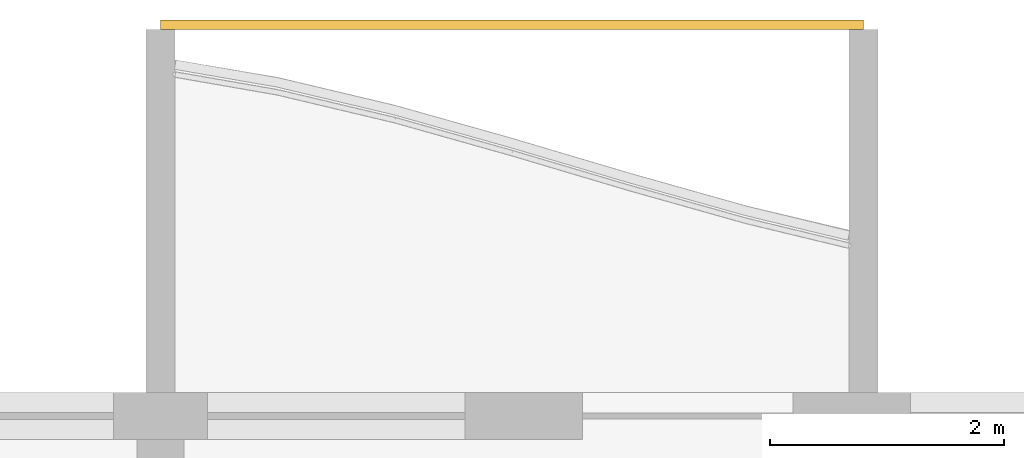
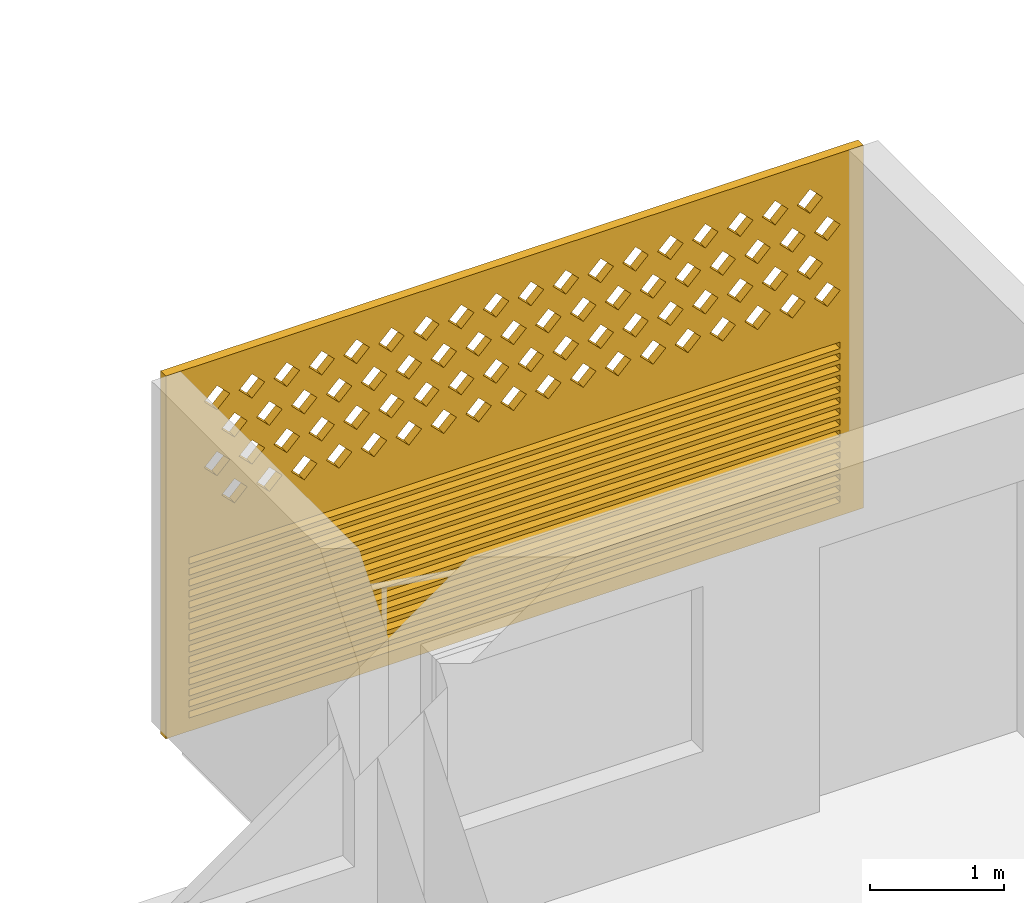
# One storey, part 27 of 38: 1 covering.
"""IFC4 building model written with IfcOpenShell, lengths in metres."""

from ifc_helpers import new_model, si_unit, direction, frame, origin, place, context, subcontext, project, spatial, polyline, outline, extrude, source, transform, mapped, material, material_profile, profile_set, type_object, element, save


model = new_model("IFC4")

# Units and contexts
model_context = context("Model", 3, precision=1e-05, world=origin(), true_north=direction((0.0, 1.0)))
body_context = subcontext(model_context, "Body", "Model", "MODEL_VIEW")
ifc_project = project(units=[si_unit("LENGTHUNIT", "METRE"), si_unit("AREAUNIT", "SQUARE_METRE"), si_unit("VOLUMEUNIT", "CUBIC_METRE"), si_unit("PLANEANGLEUNIT", "RADIAN"), si_unit("MASSUNIT", "GRAM", prefix="KILO")], contexts=[model_context])

# Site, building, storey
site_placement = place(None, origin())
site = spatial("IfcSite", under=ifc_project, at=site_placement, CompositionType="ELEMENT")
building_placement = place(site_placement, origin())
building = spatial("IfcBuilding", under=site, at=building_placement, Name="Poui Terraces", CompositionType="ELEMENT")
storey_placement = place(building_placement, frame((0.0, 0.0, 43.199951171875)))
storey = spatial("IfcBuildingStorey", under=building, at=storey_placement, Name="L11", CompositionType="ELEMENT", Elevation=43.199951171875)

# Covering
ifc_material = material(Name="Terracotta screen", Category="masonry")
ifc_material_profile = material_profile(ifc_material, outline(polyline([(-3.0, -1.64990234375), (3.0, -1.64990234375), (3.0, 1.64990234375), (-3.0, 1.64990234375), (-3.0, -1.64990234375)]), holes=[polyline([(-2.800048828125, 0.39990234375), (-2.68994140625, 0.2900390625), (-2.580078125, 0.39990234375), (-2.68994140625, 0.510009765625), (-2.800048828125, 0.39990234375)]), polyline([(-2.5, 0.39990234375), (-2.389892578125, 0.2900390625), (-2.280029296875, 0.39990234375), (-2.389892578125, 0.510009765625), (-2.5, 0.39990234375)]), polyline([(-2.199951171875, 0.39990234375), (-2.090087890625, 0.2900390625), (-1.97998046875, 0.39990234375), (-2.090087890625, 0.510009765625), (-2.199951171875, 0.39990234375)]), polyline([(-1.89990234375, 0.39990234375), (-1.7900390625, 0.2900390625), (-1.679931640625, 0.39990234375), (-1.7900390625, 0.510009765625), (-1.89990234375, 0.39990234375)]), polyline([(-1.60009765625, 0.39990234375), (-1.489990234375, 0.2900390625), (-1.3798828125, 0.39990234375), (-1.489990234375, 0.510009765625), (-1.60009765625, 0.39990234375)]), polyline([(-1.300048828125, 0.39990234375), (-1.18994140625, 0.2900390625), (-1.080078125, 0.39990234375), (-1.18994140625, 0.510009765625), (-1.300048828125, 0.39990234375)]), polyline([(-1.0, 0.39990234375), (-0.889892578125, 0.2900390625), (-0.780029296875, 0.39990234375), (-0.889892578125, 0.510009765625), (-1.0, 0.39990234375)]), polyline([(-0.699951171875, 0.39990234375), (-0.590087890625, 0.2900390625), (-0.47998046875, 0.39990234375), (-0.590087890625, 0.510009765625), (-0.699951171875, 0.39990234375)]), polyline([(-0.39990234375, 0.39990234375), (-0.2900390625, 0.2900390625), (-0.179931640625, 0.39990234375), (-0.2900390625, 0.510009765625), (-0.39990234375, 0.39990234375)]), polyline([(-0.10009765625, 0.39990234375), (0.010009765625, 0.2900390625), (0.1201171875, 0.39990234375), (0.010009765625, 0.510009765625), (-0.10009765625, 0.39990234375)]), polyline([(0.199951171875, 0.39990234375), (0.31005859375, 0.2900390625), (0.419921875, 0.39990234375), (0.31005859375, 0.510009765625), (0.199951171875, 0.39990234375)]), polyline([(0.5, 0.39990234375), (0.610107421875, 0.2900390625), (0.719970703125, 0.39990234375), (0.610107421875, 0.510009765625), (0.5, 0.39990234375)]), polyline([(0.800048828125, 0.39990234375), (0.909912109375, 0.2900390625), (1.02001953125, 0.39990234375), (0.909912109375, 0.510009765625), (0.800048828125, 0.39990234375)]), polyline([(1.10009765625, 0.39990234375), (1.2099609375, 0.2900390625), (1.320068359375, 0.39990234375), (1.2099609375, 0.510009765625), (1.10009765625, 0.39990234375)]), polyline([(1.39990234375, 0.39990234375), (1.510009765625, 0.2900390625), (1.6201171875, 0.39990234375), (1.510009765625, 0.510009765625), (1.39990234375, 0.39990234375)]), polyline([(1.699951171875, 0.39990234375), (1.81005859375, 0.2900390625), (1.919921875, 0.39990234375), (1.81005859375, 0.510009765625), (1.699951171875, 0.39990234375)]), polyline([(2.0, 0.39990234375), (2.110107421875, 0.2900390625), (2.219970703125, 0.39990234375), (2.110107421875, 0.510009765625), (2.0, 0.39990234375)]), polyline([(2.300048828125, 0.39990234375), (2.409912109375, 0.2900390625), (2.52001953125, 0.39990234375), (2.409912109375, 0.510009765625), (2.300048828125, 0.39990234375)]), polyline([(-2.64990234375, 0.699951171875), (-2.5400390625, 0.590087890625), (-2.429931640625, 0.699951171875), (-2.5400390625, 0.81005859375), (-2.64990234375, 0.699951171875)]), polyline([(-2.35009765625, 0.699951171875), (-2.239990234375, 0.590087890625), (-2.1298828125, 0.699951171875), (-2.239990234375, 0.81005859375), (-2.35009765625, 0.699951171875)]), polyline([(-2.050048828125, 0.699951171875), (-1.93994140625, 0.590087890625), (-1.830078125, 0.699951171875), (-1.93994140625, 0.81005859375), (-2.050048828125, 0.699951171875)]), polyline([(-1.75, 0.699951171875), (-1.639892578125, 0.590087890625), (-1.530029296875, 0.699951171875), (-1.639892578125, 0.81005859375), (-1.75, 0.699951171875)]), polyline([(-1.449951171875, 0.699951171875), (-1.340087890625, 0.590087890625), (-1.22998046875, 0.699951171875), (-1.340087890625, 0.81005859375), (-1.449951171875, 0.699951171875)]), polyline([(-1.14990234375, 0.699951171875), (-1.0400390625, 0.590087890625), (-0.929931640625, 0.699951171875), (-1.0400390625, 0.81005859375), (-1.14990234375, 0.699951171875)]), polyline([(-0.85009765625, 0.699951171875), (-0.739990234375, 0.590087890625), (-0.6298828125, 0.699951171875), (-0.739990234375, 0.81005859375), (-0.85009765625, 0.699951171875)]), polyline([(-0.550048828125, 0.699951171875), (-0.43994140625, 0.590087890625), (-0.330078125, 0.699951171875), (-0.43994140625, 0.81005859375), (-0.550048828125, 0.699951171875)]), polyline([(-0.25, 0.699951171875), (-0.139892578125, 0.590087890625), (-0.030029296875, 0.699951171875), (-0.139892578125, 0.81005859375), (-0.25, 0.699951171875)]), polyline([(0.050048828125, 0.699951171875), (0.159912109375, 0.590087890625), (0.27001953125, 0.699951171875), (0.159912109375, 0.81005859375), (0.050048828125, 0.699951171875)]), polyline([(0.35009765625, 0.699951171875), (0.4599609375, 0.590087890625), (0.570068359375, 0.699951171875), (0.4599609375, 0.81005859375), (0.35009765625, 0.699951171875)]), polyline([(0.64990234375, 0.699951171875), (0.760009765625, 0.590087890625), (0.8701171875, 0.699951171875), (0.760009765625, 0.81005859375), (0.64990234375, 0.699951171875)]), polyline([(0.949951171875, 0.699951171875), (1.06005859375, 0.590087890625), (1.169921875, 0.699951171875), (1.06005859375, 0.81005859375), (0.949951171875, 0.699951171875)]), polyline([(1.25, 0.699951171875), (1.360107421875, 0.590087890625), (1.469970703125, 0.699951171875), (1.360107421875, 0.81005859375), (1.25, 0.699951171875)]), polyline([(1.550048828125, 0.699951171875), (1.659912109375, 0.590087890625), (1.77001953125, 0.699951171875), (1.659912109375, 0.81005859375), (1.550048828125, 0.699951171875)]), polyline([(1.85009765625, 0.699951171875), (1.9599609375, 0.590087890625), (2.070068359375, 0.699951171875), (1.9599609375, 0.81005859375), (1.85009765625, 0.699951171875)]), polyline([(2.14990234375, 0.699951171875), (2.260009765625, 0.590087890625), (2.3701171875, 0.699951171875), (2.260009765625, 0.81005859375), (2.14990234375, 0.699951171875)]), polyline([(2.449951171875, 0.699951171875), (2.56005859375, 0.590087890625), (2.669921875, 0.699951171875), (2.56005859375, 0.81005859375), (2.449951171875, 0.699951171875)]), polyline([(-2.800048828125, 1.0), (-2.68994140625, 0.889892578125), (-2.580078125, 1.0), (-2.68994140625, 1.110107421875), (-2.800048828125, 1.0)]), polyline([(-2.5, 1.0), (-2.389892578125, 0.889892578125), (-2.280029296875, 1.0), (-2.389892578125, 1.110107421875), (-2.5, 1.0)]), polyline([(-2.199951171875, 1.0), (-2.090087890625, 0.889892578125), (-1.97998046875, 1.0), (-2.090087890625, 1.110107421875), (-2.199951171875, 1.0)]), polyline([(-1.89990234375, 1.0), (-1.7900390625, 0.889892578125), (-1.679931640625, 1.0), (-1.7900390625, 1.110107421875), (-1.89990234375, 1.0)]), polyline([(-1.60009765625, 1.0), (-1.489990234375, 0.889892578125), (-1.3798828125, 1.0), (-1.489990234375, 1.110107421875), (-1.60009765625, 1.0)]), polyline([(-1.300048828125, 1.0), (-1.18994140625, 0.889892578125), (-1.080078125, 1.0), (-1.18994140625, 1.110107421875), (-1.300048828125, 1.0)]), polyline([(-1.0, 1.0), (-0.889892578125, 0.889892578125), (-0.780029296875, 1.0), (-0.889892578125, 1.110107421875), (-1.0, 1.0)]), polyline([(-0.699951171875, 1.0), (-0.590087890625, 0.889892578125), (-0.47998046875, 1.0), (-0.590087890625, 1.110107421875), (-0.699951171875, 1.0)]), polyline([(-0.39990234375, 1.0), (-0.2900390625, 0.889892578125), (-0.179931640625, 1.0), (-0.2900390625, 1.110107421875), (-0.39990234375, 1.0)]), polyline([(-0.10009765625, 1.0), (0.010009765625, 0.889892578125), (0.1201171875, 1.0), (0.010009765625, 1.110107421875), (-0.10009765625, 1.0)]), polyline([(0.199951171875, 1.0), (0.31005859375, 0.889892578125), (0.419921875, 1.0), (0.31005859375, 1.110107421875), (0.199951171875, 1.0)]), polyline([(0.5, 1.0), (0.610107421875, 0.889892578125), (0.719970703125, 1.0), (0.610107421875, 1.110107421875), (0.5, 1.0)]), polyline([(0.800048828125, 1.0), (0.909912109375, 0.889892578125), (1.02001953125, 1.0), (0.909912109375, 1.110107421875), (0.800048828125, 1.0)]), polyline([(1.10009765625, 1.0), (1.2099609375, 0.889892578125), (1.320068359375, 1.0), (1.2099609375, 1.110107421875), (1.10009765625, 1.0)]), polyline([(1.39990234375, 1.0), (1.510009765625, 0.889892578125), (1.6201171875, 1.0), (1.510009765625, 1.110107421875), (1.39990234375, 1.0)]), polyline([(1.699951171875, 1.0), (1.81005859375, 0.889892578125), (1.919921875, 1.0), (1.81005859375, 1.110107421875), (1.699951171875, 1.0)]), polyline([(2.0, 1.0), (2.110107421875, 0.889892578125), (2.219970703125, 1.0), (2.110107421875, 1.110107421875), (2.0, 1.0)]), polyline([(2.300048828125, 1.0), (2.409912109375, 0.889892578125), (2.52001953125, 1.0), (2.409912109375, 1.110107421875), (2.300048828125, 1.0)]), polyline([(-2.64990234375, 1.300048828125), (-2.5400390625, 1.18994140625), (-2.429931640625, 1.300048828125), (-2.5400390625, 1.409912109375), (-2.64990234375, 1.300048828125)]), polyline([(-2.35009765625, 1.300048828125), (-2.239990234375, 1.18994140625), (-2.1298828125, 1.300048828125), (-2.239990234375, 1.409912109375), (-2.35009765625, 1.300048828125)]), polyline([(-2.050048828125, 1.300048828125), (-1.93994140625, 1.18994140625), (-1.830078125, 1.300048828125), (-1.93994140625, 1.409912109375), (-2.050048828125, 1.300048828125)]), polyline([(-1.75, 1.300048828125), (-1.639892578125, 1.18994140625), (-1.530029296875, 1.300048828125), (-1.639892578125, 1.409912109375), (-1.75, 1.300048828125)]), polyline([(-1.449951171875, 1.300048828125), (-1.340087890625, 1.18994140625), (-1.22998046875, 1.300048828125), (-1.340087890625, 1.409912109375), (-1.449951171875, 1.300048828125)]), polyline([(-1.14990234375, 1.300048828125), (-1.0400390625, 1.18994140625), (-0.929931640625, 1.300048828125), (-1.0400390625, 1.409912109375), (-1.14990234375, 1.300048828125)]), polyline([(-0.85009765625, 1.300048828125), (-0.739990234375, 1.18994140625), (-0.6298828125, 1.300048828125), (-0.739990234375, 1.409912109375), (-0.85009765625, 1.300048828125)]), polyline([(-0.550048828125, 1.300048828125), (-0.43994140625, 1.18994140625), (-0.330078125, 1.300048828125), (-0.43994140625, 1.409912109375), (-0.550048828125, 1.300048828125)]), polyline([(-0.25, 1.300048828125), (-0.139892578125, 1.18994140625), (-0.030029296875, 1.300048828125), (-0.139892578125, 1.409912109375), (-0.25, 1.300048828125)]), polyline([(0.050048828125, 1.300048828125), (0.159912109375, 1.18994140625), (0.27001953125, 1.300048828125), (0.159912109375, 1.409912109375), (0.050048828125, 1.300048828125)]), polyline([(0.35009765625, 1.300048828125), (0.4599609375, 1.18994140625), (0.570068359375, 1.300048828125), (0.4599609375, 1.409912109375), (0.35009765625, 1.300048828125)]), polyline([(0.64990234375, 1.300048828125), (0.760009765625, 1.18994140625), (0.8701171875, 1.300048828125), (0.760009765625, 1.409912109375), (0.64990234375, 1.300048828125)]), polyline([(0.949951171875, 1.300048828125), (1.06005859375, 1.18994140625), (1.169921875, 1.300048828125), (1.06005859375, 1.409912109375), (0.949951171875, 1.300048828125)]), polyline([(1.25, 1.300048828125), (1.360107421875, 1.18994140625), (1.469970703125, 1.300048828125), (1.360107421875, 1.409912109375), (1.25, 1.300048828125)]), polyline([(1.550048828125, 1.300048828125), (1.659912109375, 1.18994140625), (1.77001953125, 1.300048828125), (1.659912109375, 1.409912109375), (1.550048828125, 1.300048828125)]), polyline([(1.85009765625, 1.300048828125), (1.9599609375, 1.18994140625), (2.070068359375, 1.300048828125), (1.9599609375, 1.409912109375), (1.85009765625, 1.300048828125)]), polyline([(2.14990234375, 1.300048828125), (2.260009765625, 1.18994140625), (2.3701171875, 1.300048828125), (2.260009765625, 1.409912109375), (2.14990234375, 1.300048828125)]), polyline([(2.449951171875, 1.300048828125), (2.56005859375, 1.18994140625), (2.669921875, 1.300048828125), (2.56005859375, 1.409912109375), (2.449951171875, 1.300048828125)]), polyline([(-2.800048828125, -1.530029296875), (2.800048828125, -1.530029296875), (2.800048828125, -1.469970703125), (-2.800048828125, -1.469970703125), (-2.800048828125, -1.530029296875)]), polyline([(-2.800048828125, -1.429931640625), (2.800048828125, -1.429931640625), (2.800048828125, -1.3701171875), (-2.800048828125, -1.3701171875), (-2.800048828125, -1.429931640625)]), polyline([(-2.800048828125, -1.330078125), (2.800048828125, -1.330078125), (2.800048828125, -1.27001953125), (-2.800048828125, -1.27001953125), (-2.800048828125, -1.330078125)]), polyline([(-2.800048828125, -1.22998046875), (2.800048828125, -1.22998046875), (2.800048828125, -1.169921875), (-2.800048828125, -1.169921875), (-2.800048828125, -1.22998046875)]), polyline([(-2.800048828125, -1.1298828125), (2.800048828125, -1.1298828125), (2.800048828125, -1.070068359375), (-2.800048828125, -1.070068359375), (-2.800048828125, -1.1298828125)]), polyline([(-2.800048828125, -1.030029296875), (2.800048828125, -1.030029296875), (2.800048828125, -0.969970703125), (-2.800048828125, -0.969970703125), (-2.800048828125, -1.030029296875)]), polyline([(-2.800048828125, -0.929931640625), (2.800048828125, -0.929931640625), (2.800048828125, -0.8701171875), (-2.800048828125, -0.8701171875), (-2.800048828125, -0.929931640625)]), polyline([(-2.800048828125, -0.830078125), (2.800048828125, -0.830078125), (2.800048828125, -0.77001953125), (-2.800048828125, -0.77001953125), (-2.800048828125, -0.830078125)]), polyline([(-2.800048828125, -0.72998046875), (2.800048828125, -0.72998046875), (2.800048828125, -0.669921875), (-2.800048828125, -0.669921875), (-2.800048828125, -0.72998046875)]), polyline([(-2.800048828125, -0.6298828125), (2.800048828125, -0.6298828125), (2.800048828125, -0.570068359375), (-2.800048828125, -0.570068359375), (-2.800048828125, -0.6298828125)]), polyline([(-2.800048828125, -0.530029296875), (2.800048828125, -0.530029296875), (2.800048828125, -0.469970703125), (-2.800048828125, -0.469970703125), (-2.800048828125, -0.530029296875)]), polyline([(-2.800048828125, -0.429931640625), (2.800048828125, -0.429931640625), (2.800048828125, -0.3701171875), (-2.800048828125, -0.3701171875), (-2.800048828125, -0.429931640625)]), polyline([(-2.800048828125, -0.330078125), (2.800048828125, -0.330078125), (2.800048828125, -0.27001953125), (-2.800048828125, -0.27001953125), (-2.800048828125, -0.330078125)]), polyline([(-2.800048828125, -0.22998046875), (2.800048828125, -0.22998046875), (2.800048828125, -0.169921875), (-2.800048828125, -0.169921875), (-2.800048828125, -0.22998046875)]), polyline([(-2.800048828125, -0.1298828125), (2.800048828125, -0.1298828125), (2.800048828125, -0.070068359375), (-2.800048828125, -0.070068359375), (-2.800048828125, -0.1298828125)])]), Name="TERRACOTTA SCREEN AND JALOUSIE LOUVRE 6000X3300")
ifc_profile_set = profile_set([ifc_material_profile], Name="Terracotta screen")
covering_type = type_object("IfcCoveringType", Name="TERRACOTTA SCREEN AND JALOUSIE LOUVRE 6000X3300", PredefinedType="CLADDING", material=ifc_profile_set)
shared_shape = source(origin(), body_context, "Body", "SweptSolid", [
    extrude(outline(polyline([(-3.0, -1.64990234375), (3.0, -1.64990234375), (3.0, 1.64990234375), (-3.0, 1.64990234375), (-3.0, -1.64990234375)]), holes=[polyline([(-2.800048828125, 0.39990234375), (-2.68994140625, 0.2900390625), (-2.580078125, 0.39990234375), (-2.68994140625, 0.510009765625), (-2.800048828125, 0.39990234375)]), polyline([(-2.5, 0.39990234375), (-2.389892578125, 0.2900390625), (-2.280029296875, 0.39990234375), (-2.389892578125, 0.510009765625), (-2.5, 0.39990234375)]), polyline([(-2.199951171875, 0.39990234375), (-2.090087890625, 0.2900390625), (-1.97998046875, 0.39990234375), (-2.090087890625, 0.510009765625), (-2.199951171875, 0.39990234375)]), polyline([(-1.89990234375, 0.39990234375), (-1.7900390625, 0.2900390625), (-1.679931640625, 0.39990234375), (-1.7900390625, 0.510009765625), (-1.89990234375, 0.39990234375)]), polyline([(-1.60009765625, 0.39990234375), (-1.489990234375, 0.2900390625), (-1.3798828125, 0.39990234375), (-1.489990234375, 0.510009765625), (-1.60009765625, 0.39990234375)]), polyline([(-1.300048828125, 0.39990234375), (-1.18994140625, 0.2900390625), (-1.080078125, 0.39990234375), (-1.18994140625, 0.510009765625), (-1.300048828125, 0.39990234375)]), polyline([(-1.0, 0.39990234375), (-0.889892578125, 0.2900390625), (-0.780029296875, 0.39990234375), (-0.889892578125, 0.510009765625), (-1.0, 0.39990234375)]), polyline([(-0.699951171875, 0.39990234375), (-0.590087890625, 0.2900390625), (-0.47998046875, 0.39990234375), (-0.590087890625, 0.510009765625), (-0.699951171875, 0.39990234375)]), polyline([(-0.39990234375, 0.39990234375), (-0.2900390625, 0.2900390625), (-0.179931640625, 0.39990234375), (-0.2900390625, 0.510009765625), (-0.39990234375, 0.39990234375)]), polyline([(-0.10009765625, 0.39990234375), (0.010009765625, 0.2900390625), (0.1201171875, 0.39990234375), (0.010009765625, 0.510009765625), (-0.10009765625, 0.39990234375)]), polyline([(0.199951171875, 0.39990234375), (0.31005859375, 0.2900390625), (0.419921875, 0.39990234375), (0.31005859375, 0.510009765625), (0.199951171875, 0.39990234375)]), polyline([(0.5, 0.39990234375), (0.610107421875, 0.2900390625), (0.719970703125, 0.39990234375), (0.610107421875, 0.510009765625), (0.5, 0.39990234375)]), polyline([(0.800048828125, 0.39990234375), (0.909912109375, 0.2900390625), (1.02001953125, 0.39990234375), (0.909912109375, 0.510009765625), (0.800048828125, 0.39990234375)]), polyline([(1.10009765625, 0.39990234375), (1.2099609375, 0.2900390625), (1.320068359375, 0.39990234375), (1.2099609375, 0.510009765625), (1.10009765625, 0.39990234375)]), polyline([(1.39990234375, 0.39990234375), (1.510009765625, 0.2900390625), (1.6201171875, 0.39990234375), (1.510009765625, 0.510009765625), (1.39990234375, 0.39990234375)]), polyline([(1.699951171875, 0.39990234375), (1.81005859375, 0.2900390625), (1.919921875, 0.39990234375), (1.81005859375, 0.510009765625), (1.699951171875, 0.39990234375)]), polyline([(2.0, 0.39990234375), (2.110107421875, 0.2900390625), (2.219970703125, 0.39990234375), (2.110107421875, 0.510009765625), (2.0, 0.39990234375)]), polyline([(2.300048828125, 0.39990234375), (2.409912109375, 0.2900390625), (2.52001953125, 0.39990234375), (2.409912109375, 0.510009765625), (2.300048828125, 0.39990234375)]), polyline([(-2.64990234375, 0.699951171875), (-2.5400390625, 0.590087890625), (-2.429931640625, 0.699951171875), (-2.5400390625, 0.81005859375), (-2.64990234375, 0.699951171875)]), polyline([(-2.35009765625, 0.699951171875), (-2.239990234375, 0.590087890625), (-2.1298828125, 0.699951171875), (-2.239990234375, 0.81005859375), (-2.35009765625, 0.699951171875)]), polyline([(-2.050048828125, 0.699951171875), (-1.93994140625, 0.590087890625), (-1.830078125, 0.699951171875), (-1.93994140625, 0.81005859375), (-2.050048828125, 0.699951171875)]), polyline([(-1.75, 0.699951171875), (-1.639892578125, 0.590087890625), (-1.530029296875, 0.699951171875), (-1.639892578125, 0.81005859375), (-1.75, 0.699951171875)]), polyline([(-1.449951171875, 0.699951171875), (-1.340087890625, 0.590087890625), (-1.22998046875, 0.699951171875), (-1.340087890625, 0.81005859375), (-1.449951171875, 0.699951171875)]), polyline([(-1.14990234375, 0.699951171875), (-1.0400390625, 0.590087890625), (-0.929931640625, 0.699951171875), (-1.0400390625, 0.81005859375), (-1.14990234375, 0.699951171875)]), polyline([(-0.85009765625, 0.699951171875), (-0.739990234375, 0.590087890625), (-0.6298828125, 0.699951171875), (-0.739990234375, 0.81005859375), (-0.85009765625, 0.699951171875)]), polyline([(-0.550048828125, 0.699951171875), (-0.43994140625, 0.590087890625), (-0.330078125, 0.699951171875), (-0.43994140625, 0.81005859375), (-0.550048828125, 0.699951171875)]), polyline([(-0.25, 0.699951171875), (-0.139892578125, 0.590087890625), (-0.030029296875, 0.699951171875), (-0.139892578125, 0.81005859375), (-0.25, 0.699951171875)]), polyline([(0.050048828125, 0.699951171875), (0.159912109375, 0.590087890625), (0.27001953125, 0.699951171875), (0.159912109375, 0.81005859375), (0.050048828125, 0.699951171875)]), polyline([(0.35009765625, 0.699951171875), (0.4599609375, 0.590087890625), (0.570068359375, 0.699951171875), (0.4599609375, 0.81005859375), (0.35009765625, 0.699951171875)]), polyline([(0.64990234375, 0.699951171875), (0.760009765625, 0.590087890625), (0.8701171875, 0.699951171875), (0.760009765625, 0.81005859375), (0.64990234375, 0.699951171875)]), polyline([(0.949951171875, 0.699951171875), (1.06005859375, 0.590087890625), (1.169921875, 0.699951171875), (1.06005859375, 0.81005859375), (0.949951171875, 0.699951171875)]), polyline([(1.25, 0.699951171875), (1.360107421875, 0.590087890625), (1.469970703125, 0.699951171875), (1.360107421875, 0.81005859375), (1.25, 0.699951171875)]), polyline([(1.550048828125, 0.699951171875), (1.659912109375, 0.590087890625), (1.77001953125, 0.699951171875), (1.659912109375, 0.81005859375), (1.550048828125, 0.699951171875)]), polyline([(1.85009765625, 0.699951171875), (1.9599609375, 0.590087890625), (2.070068359375, 0.699951171875), (1.9599609375, 0.81005859375), (1.85009765625, 0.699951171875)]), polyline([(2.14990234375, 0.699951171875), (2.260009765625, 0.590087890625), (2.3701171875, 0.699951171875), (2.260009765625, 0.81005859375), (2.14990234375, 0.699951171875)]), polyline([(2.449951171875, 0.699951171875), (2.56005859375, 0.590087890625), (2.669921875, 0.699951171875), (2.56005859375, 0.81005859375), (2.449951171875, 0.699951171875)]), polyline([(-2.800048828125, 1.0), (-2.68994140625, 0.889892578125), (-2.580078125, 1.0), (-2.68994140625, 1.110107421875), (-2.800048828125, 1.0)]), polyline([(-2.5, 1.0), (-2.389892578125, 0.889892578125), (-2.280029296875, 1.0), (-2.389892578125, 1.110107421875), (-2.5, 1.0)]), polyline([(-2.199951171875, 1.0), (-2.090087890625, 0.889892578125), (-1.97998046875, 1.0), (-2.090087890625, 1.110107421875), (-2.199951171875, 1.0)]), polyline([(-1.89990234375, 1.0), (-1.7900390625, 0.889892578125), (-1.679931640625, 1.0), (-1.7900390625, 1.110107421875), (-1.89990234375, 1.0)]), polyline([(-1.60009765625, 1.0), (-1.489990234375, 0.889892578125), (-1.3798828125, 1.0), (-1.489990234375, 1.110107421875), (-1.60009765625, 1.0)]), polyline([(-1.300048828125, 1.0), (-1.18994140625, 0.889892578125), (-1.080078125, 1.0), (-1.18994140625, 1.110107421875), (-1.300048828125, 1.0)]), polyline([(-1.0, 1.0), (-0.889892578125, 0.889892578125), (-0.780029296875, 1.0), (-0.889892578125, 1.110107421875), (-1.0, 1.0)]), polyline([(-0.699951171875, 1.0), (-0.590087890625, 0.889892578125), (-0.47998046875, 1.0), (-0.590087890625, 1.110107421875), (-0.699951171875, 1.0)]), polyline([(-0.39990234375, 1.0), (-0.2900390625, 0.889892578125), (-0.179931640625, 1.0), (-0.2900390625, 1.110107421875), (-0.39990234375, 1.0)]), polyline([(-0.10009765625, 1.0), (0.010009765625, 0.889892578125), (0.1201171875, 1.0), (0.010009765625, 1.110107421875), (-0.10009765625, 1.0)]), polyline([(0.199951171875, 1.0), (0.31005859375, 0.889892578125), (0.419921875, 1.0), (0.31005859375, 1.110107421875), (0.199951171875, 1.0)]), polyline([(0.5, 1.0), (0.610107421875, 0.889892578125), (0.719970703125, 1.0), (0.610107421875, 1.110107421875), (0.5, 1.0)]), polyline([(0.800048828125, 1.0), (0.909912109375, 0.889892578125), (1.02001953125, 1.0), (0.909912109375, 1.110107421875), (0.800048828125, 1.0)]), polyline([(1.10009765625, 1.0), (1.2099609375, 0.889892578125), (1.320068359375, 1.0), (1.2099609375, 1.110107421875), (1.10009765625, 1.0)]), polyline([(1.39990234375, 1.0), (1.510009765625, 0.889892578125), (1.6201171875, 1.0), (1.510009765625, 1.110107421875), (1.39990234375, 1.0)]), polyline([(1.699951171875, 1.0), (1.81005859375, 0.889892578125), (1.919921875, 1.0), (1.81005859375, 1.110107421875), (1.699951171875, 1.0)]), polyline([(2.0, 1.0), (2.110107421875, 0.889892578125), (2.219970703125, 1.0), (2.110107421875, 1.110107421875), (2.0, 1.0)]), polyline([(2.300048828125, 1.0), (2.409912109375, 0.889892578125), (2.52001953125, 1.0), (2.409912109375, 1.110107421875), (2.300048828125, 1.0)]), polyline([(-2.64990234375, 1.300048828125), (-2.5400390625, 1.18994140625), (-2.429931640625, 1.300048828125), (-2.5400390625, 1.409912109375), (-2.64990234375, 1.300048828125)]), polyline([(-2.35009765625, 1.300048828125), (-2.239990234375, 1.18994140625), (-2.1298828125, 1.300048828125), (-2.239990234375, 1.409912109375), (-2.35009765625, 1.300048828125)]), polyline([(-2.050048828125, 1.300048828125), (-1.93994140625, 1.18994140625), (-1.830078125, 1.300048828125), (-1.93994140625, 1.409912109375), (-2.050048828125, 1.300048828125)]), polyline([(-1.75, 1.300048828125), (-1.639892578125, 1.18994140625), (-1.530029296875, 1.300048828125), (-1.639892578125, 1.409912109375), (-1.75, 1.300048828125)]), polyline([(-1.449951171875, 1.300048828125), (-1.340087890625, 1.18994140625), (-1.22998046875, 1.300048828125), (-1.340087890625, 1.409912109375), (-1.449951171875, 1.300048828125)]), polyline([(-1.14990234375, 1.300048828125), (-1.0400390625, 1.18994140625), (-0.929931640625, 1.300048828125), (-1.0400390625, 1.409912109375), (-1.14990234375, 1.300048828125)]), polyline([(-0.85009765625, 1.300048828125), (-0.739990234375, 1.18994140625), (-0.6298828125, 1.300048828125), (-0.739990234375, 1.409912109375), (-0.85009765625, 1.300048828125)]), polyline([(-0.550048828125, 1.300048828125), (-0.43994140625, 1.18994140625), (-0.330078125, 1.300048828125), (-0.43994140625, 1.409912109375), (-0.550048828125, 1.300048828125)]), polyline([(-0.25, 1.300048828125), (-0.139892578125, 1.18994140625), (-0.030029296875, 1.300048828125), (-0.139892578125, 1.409912109375), (-0.25, 1.300048828125)]), polyline([(0.050048828125, 1.300048828125), (0.159912109375, 1.18994140625), (0.27001953125, 1.300048828125), (0.159912109375, 1.409912109375), (0.050048828125, 1.300048828125)]), polyline([(0.35009765625, 1.300048828125), (0.4599609375, 1.18994140625), (0.570068359375, 1.300048828125), (0.4599609375, 1.409912109375), (0.35009765625, 1.300048828125)]), polyline([(0.64990234375, 1.300048828125), (0.760009765625, 1.18994140625), (0.8701171875, 1.300048828125), (0.760009765625, 1.409912109375), (0.64990234375, 1.300048828125)]), polyline([(0.949951171875, 1.300048828125), (1.06005859375, 1.18994140625), (1.169921875, 1.300048828125), (1.06005859375, 1.409912109375), (0.949951171875, 1.300048828125)]), polyline([(1.25, 1.300048828125), (1.360107421875, 1.18994140625), (1.469970703125, 1.300048828125), (1.360107421875, 1.409912109375), (1.25, 1.300048828125)]), polyline([(1.550048828125, 1.300048828125), (1.659912109375, 1.18994140625), (1.77001953125, 1.300048828125), (1.659912109375, 1.409912109375), (1.550048828125, 1.300048828125)]), polyline([(1.85009765625, 1.300048828125), (1.9599609375, 1.18994140625), (2.070068359375, 1.300048828125), (1.9599609375, 1.409912109375), (1.85009765625, 1.300048828125)]), polyline([(2.14990234375, 1.300048828125), (2.260009765625, 1.18994140625), (2.3701171875, 1.300048828125), (2.260009765625, 1.409912109375), (2.14990234375, 1.300048828125)]), polyline([(2.449951171875, 1.300048828125), (2.56005859375, 1.18994140625), (2.669921875, 1.300048828125), (2.56005859375, 1.409912109375), (2.449951171875, 1.300048828125)]), polyline([(-2.800048828125, -1.530029296875), (2.800048828125, -1.530029296875), (2.800048828125, -1.469970703125), (-2.800048828125, -1.469970703125), (-2.800048828125, -1.530029296875)]), polyline([(-2.800048828125, -1.429931640625), (2.800048828125, -1.429931640625), (2.800048828125, -1.3701171875), (-2.800048828125, -1.3701171875), (-2.800048828125, -1.429931640625)]), polyline([(-2.800048828125, -1.330078125), (2.800048828125, -1.330078125), (2.800048828125, -1.27001953125), (-2.800048828125, -1.27001953125), (-2.800048828125, -1.330078125)]), polyline([(-2.800048828125, -1.22998046875), (2.800048828125, -1.22998046875), (2.800048828125, -1.169921875), (-2.800048828125, -1.169921875), (-2.800048828125, -1.22998046875)]), polyline([(-2.800048828125, -1.1298828125), (2.800048828125, -1.1298828125), (2.800048828125, -1.070068359375), (-2.800048828125, -1.070068359375), (-2.800048828125, -1.1298828125)]), polyline([(-2.800048828125, -1.030029296875), (2.800048828125, -1.030029296875), (2.800048828125, -0.969970703125), (-2.800048828125, -0.969970703125), (-2.800048828125, -1.030029296875)]), polyline([(-2.800048828125, -0.929931640625), (2.800048828125, -0.929931640625), (2.800048828125, -0.8701171875), (-2.800048828125, -0.8701171875), (-2.800048828125, -0.929931640625)]), polyline([(-2.800048828125, -0.830078125), (2.800048828125, -0.830078125), (2.800048828125, -0.77001953125), (-2.800048828125, -0.77001953125), (-2.800048828125, -0.830078125)]), polyline([(-2.800048828125, -0.72998046875), (2.800048828125, -0.72998046875), (2.800048828125, -0.669921875), (-2.800048828125, -0.669921875), (-2.800048828125, -0.72998046875)]), polyline([(-2.800048828125, -0.6298828125), (2.800048828125, -0.6298828125), (2.800048828125, -0.570068359375), (-2.800048828125, -0.570068359375), (-2.800048828125, -0.6298828125)]), polyline([(-2.800048828125, -0.530029296875), (2.800048828125, -0.530029296875), (2.800048828125, -0.469970703125), (-2.800048828125, -0.469970703125), (-2.800048828125, -0.530029296875)]), polyline([(-2.800048828125, -0.429931640625), (2.800048828125, -0.429931640625), (2.800048828125, -0.3701171875), (-2.800048828125, -0.3701171875), (-2.800048828125, -0.429931640625)]), polyline([(-2.800048828125, -0.330078125), (2.800048828125, -0.330078125), (2.800048828125, -0.27001953125), (-2.800048828125, -0.27001953125), (-2.800048828125, -0.330078125)]), polyline([(-2.800048828125, -0.22998046875), (2.800048828125, -0.22998046875), (2.800048828125, -0.169921875), (-2.800048828125, -0.169921875), (-2.800048828125, -0.22998046875)]), polyline([(-2.800048828125, -0.1298828125), (2.800048828125, -0.1298828125), (2.800048828125, -0.070068359375), (-2.800048828125, -0.070068359375), (-2.800048828125, -0.1298828125)])]), origin(), (0.0, 0.0, 1.0), 0.079833984375),
])
covering_placement = place(storey_placement, frame((45.0, 48.10009765625, 1.449951171875), z_axis=(0.0, 1.0, 0.0), x_axis=(-1.0, 0.0, 0.0)))
element("IfcCovering", 1, at=covering_placement, inside=storey, type_object=covering_type, Name="SOLAR SCREEN AND JALOUSIE LOUVRE", PredefinedType="CLADDING", context=body_context, shape_type="MappedRepresentation", body=[
    mapped(shared_shape, transform((0.0, 0.0, 0.0))),
])

save(model, "model.ifc")
